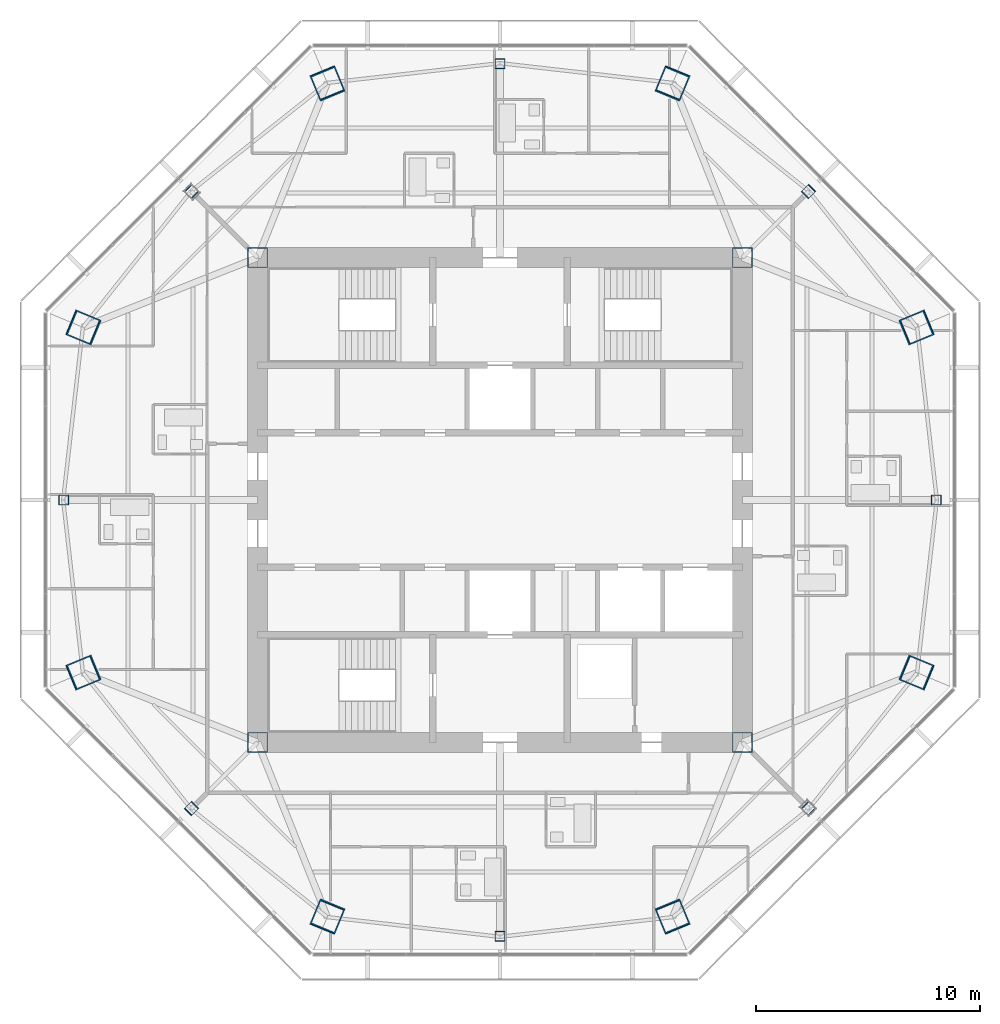
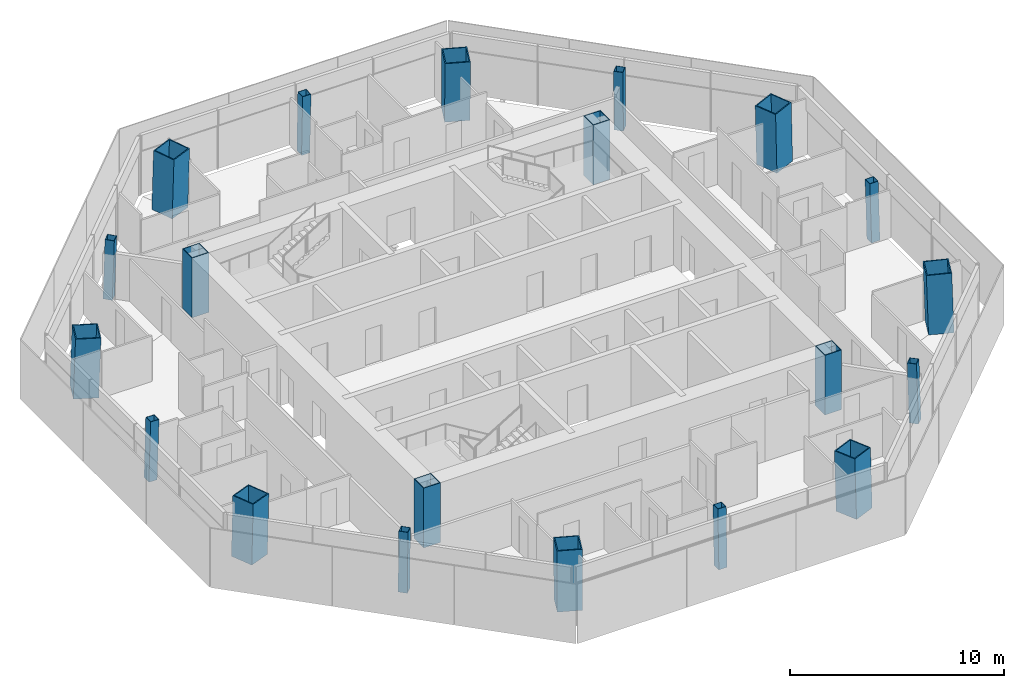
# One storey, part 1 of 15: 20 columns.
"""IFC4 building model written with IfcOpenShell, lengths in metres."""

from ifc_helpers import new_model, si_unit, direction, frame, origin, origin_2d, place, context, subcontext, project, spatial, hollow_rectangle, extrude, material, material_profile, profile_set, type_object, element, save


model = new_model("IFC4")

# Units and contexts
model_context = context("Model", 3, precision=1e-05, world=origin(), true_north=direction((0.0, 1.0)))
body_context = subcontext(model_context, "Body", "Model", "MODEL_VIEW")
ifc_project = project(units=[si_unit("LENGTHUNIT", "METRE"), si_unit("AREAUNIT", "SQUARE_METRE"), si_unit("VOLUMEUNIT", "CUBIC_METRE"), si_unit("PLANEANGLEUNIT", "RADIAN"), si_unit("MASSUNIT", "GRAM", prefix="KILO")], contexts=[model_context])

# Site, building, storey
site_placement = place(None, origin())
site = spatial("IfcSite", under=ifc_project, at=site_placement, CompositionType="ELEMENT")
building_placement = place(site_placement, origin())
building = spatial("IfcBuilding", under=site, at=building_placement, Name="Mashrafa Tower", CompositionType="ELEMENT")
storey_placement = place(building_placement, frame((0.0, 0.0, 274.199951171875)))
storey = spatial("IfcBuildingStorey", under=building, at=storey_placement, Name="L66", CompositionType="ELEMENT", Elevation=274.199951171875)

# Columns
ifc_material_1 = material(Name="Steel ASTM A572 Gr 50", Category="steel")
ifc_material_profile_1 = material_profile(ifc_material_1, hollow_rectangle(XDim=0.89990234375, YDim=0.89990234375, WallThickness=0.0400390625, at=origin_2d()), Name="BOX900X900X40")
ifc_profile_set_1 = profile_set([ifc_material_profile_1], Name="Steel ASTM A572 Gr 50")
column_type_1 = type_object("IfcColumnType", Name="Core corner column BOX900X900X40", PredefinedType="COLUMN", material=ifc_profile_set_1)
for number, where, z_axis, x_axis, name in (
    (1, (10.800048828125, 10.800048828125, 0.0), (0.0, 0.0, 1.0), (1.0, 0.0, 0.0), "Core corner column CC-NE L66"),
    (2, (-10.800048828125, 10.800048828125, 0.0), (0.0, 0.0, 1.0), (1.0, 0.0, 0.0), "Core corner column CC-NW L66"),
    (3, (-10.800048828125, -10.800048828125, 0.0), (0.0, 0.0, 1.0), (1.0, 0.0, 0.0), "Core corner column CC-SW L66"),
    (4, (10.800048828125, -10.800048828125, 0.0), (0.0, 0.0, 1.0), (1.0, 0.0, 0.0), "Core corner column CC-SE L66"),
):
    element("IfcColumn", number, at=place(storey_placement, frame(where, z_axis=z_axis, x_axis=x_axis)), inside=storey, type_object=column_type_1, Name=name, PredefinedType="COLUMN", context=body_context, shape_type="SweptSolid", body=[
        extrude(hollow_rectangle(XDim=0.89990234375, YDim=0.89990234375, WallThickness=0.0400390625, at=origin_2d()), origin(), (0.0, 0.0, 1.0), 3.400146484375),
    ])
ifc_material_2 = material(Name="Steel ASTM A572 Gr 50", Category="steel")
ifc_material_profile_2 = material_profile(ifc_material_2, hollow_rectangle(XDim=1.199951171875, YDim=1.199951171875, WallThickness=0.054931640625, at=origin_2d()), Name="BOX1200X1200X55")
ifc_profile_set_2 = profile_set([ifc_material_profile_2], Name="Steel ASTM A572 Gr 50")
column_type_2 = type_object("IfcColumnType", Name="Mega column CFST BOX1200X1200X55", PredefinedType="COLUMN", material=ifc_profile_set_2)
for number, where, z_axis, x_axis, name in (
    (5, (18.579833984375, 7.696044921875, 0.0), (-0.028277121884, -0.011698403216, 0.999531666202), (0.382282742426, -0.924045401938, 0.0), "Mega column MC1 L66"),
    (6, (7.696044921875, 18.579833984375, 0.0), (-0.011698403216, -0.028277121884, 0.999531666202), (0.924045401938, -0.382282742426, 0.0), "Mega column MC2 L66"),
    (7, (-7.696044921875, 18.579833984375, 0.0), (0.011698403216, -0.028277121884, 0.999531666202), (0.924045401938, 0.382282742426, 0.0), "Mega column MC3 L66"),
    (8, (-18.579833984375, 7.696044921875, 0.0), (0.028277121884, -0.011698403216, 0.999531666202), (0.382282742426, 0.924045401938, 0.0), "Mega column MC4 L66"),
    (9, (-18.579833984375, -7.696044921875, 0.0), (0.028277121884, 0.011698403216, 0.999531666202), (-0.382282742426, 0.924045401938, 0.0), "Mega column MC5 L66"),
    (10, (-7.696044921875, -18.579833984375, 0.0), (0.011698403216, 0.028277121884, 0.999531666202), (-0.924045401938, 0.382282742426, 0.0), "Mega column MC6 L66"),
    (11, (7.696044921875, -18.579833984375, 0.0), (-0.011698403216, 0.028277121884, 0.999531666202), (-0.924045401938, -0.382282742426, 0.0), "Mega column MC7 L66"),
    (12, (18.579833984375, -7.696044921875, 0.0), (-0.028277121884, 0.011698403216, 0.999531666202), (-0.382282742426, -0.924045401938, 0.0), "Mega column MC8 L66"),
):
    element("IfcColumn", number, at=place(storey_placement, frame(where, z_axis=z_axis, x_axis=x_axis)), inside=storey, type_object=column_type_2, Name=name, PredefinedType="COLUMN", context=body_context, shape_type="SweptSolid", body=[
        extrude(hollow_rectangle(XDim=1.199951171875, YDim=1.199951171875, WallThickness=0.054931640625, at=origin_2d()), origin(), (0.0, 0.0, 1.0), 3.40185546875),
    ])
ifc_material_3 = material(Name="Steel ASTM A572 Gr 50", Category="steel")
ifc_material_profile_3 = material_profile(ifc_material_3, hollow_rectangle(XDim=0.449951171875, YDim=0.449951171875, WallThickness=0.02001953125, at=origin_2d()), Name="BOX450X450X20")
ifc_profile_set_3 = profile_set([ifc_material_profile_3], Name="Steel ASTM A572 Gr 50")
column_type_3 = type_object("IfcColumnType", Name="Secondary column BOX450X450X20", PredefinedType="COLUMN", material=ifc_profile_set_3)
for number, where, z_axis, x_axis, name in (
    (13, (19.4580078125, 0.0, 0.0), (-0.028279056982, 0.0, 0.999600067495), (0.0, -1.0, 0.0), "Secondary column SC1 L66"),
    (14, (13.7587890625, 13.7587890625, 0.0), (-0.019953277583, -0.019953277583, 0.999601787427), (0.707106781187, -0.707106781187, 0.0), "Secondary column SC2 L66"),
    (15, (0.0, 19.4580078125, 0.0), (0.0, -0.028279056982, 0.999600067495), (1.0, 0.0, 0.0), "Secondary column SC3 L66"),
    (16, (-13.7587890625, 13.7587890625, 0.0), (0.019953277583, -0.019953277583, 0.999601787427), (0.707106781187, 0.707106781187, 0.0), "Secondary column SC4 L66"),
    (17, (-19.4580078125, 0.0, 0.0), (0.028279056982, 0.0, 0.999600067495), (0.0, 1.0, 0.0), "Secondary column SC5 L66"),
    (18, (-13.7587890625, -13.7587890625, 0.0), (0.019953277583, 0.019953277583, 0.999601787427), (-0.707106781187, 0.707106781187, 0.0), "Secondary column SC6 L66"),
    (19, (0.0, -19.4580078125, 0.0), (0.0, 0.028279056982, 0.999600067495), (-1.0, 0.0, 0.0), "Secondary column SC7 L66"),
    (20, (13.7587890625, -13.7587890625, 0.0), (-0.019953277583, 0.019953277583, 0.999601787427), (-0.707106781187, -0.707106781187, 0.0), "Secondary column SC8 L66"),
):
    element("IfcColumn", number, at=place(storey_placement, frame(where, z_axis=z_axis, x_axis=x_axis)), inside=storey, type_object=column_type_3, Name=name, PredefinedType="COLUMN", context=body_context, shape_type="SweptSolid", body=[
        extrude(hollow_rectangle(XDim=0.449951171875, YDim=0.449951171875, WallThickness=0.02001953125, at=origin_2d()), origin(), (0.0, 0.0, 1.0), 3.401611328125),
    ])

save(model, "model.ifc")
